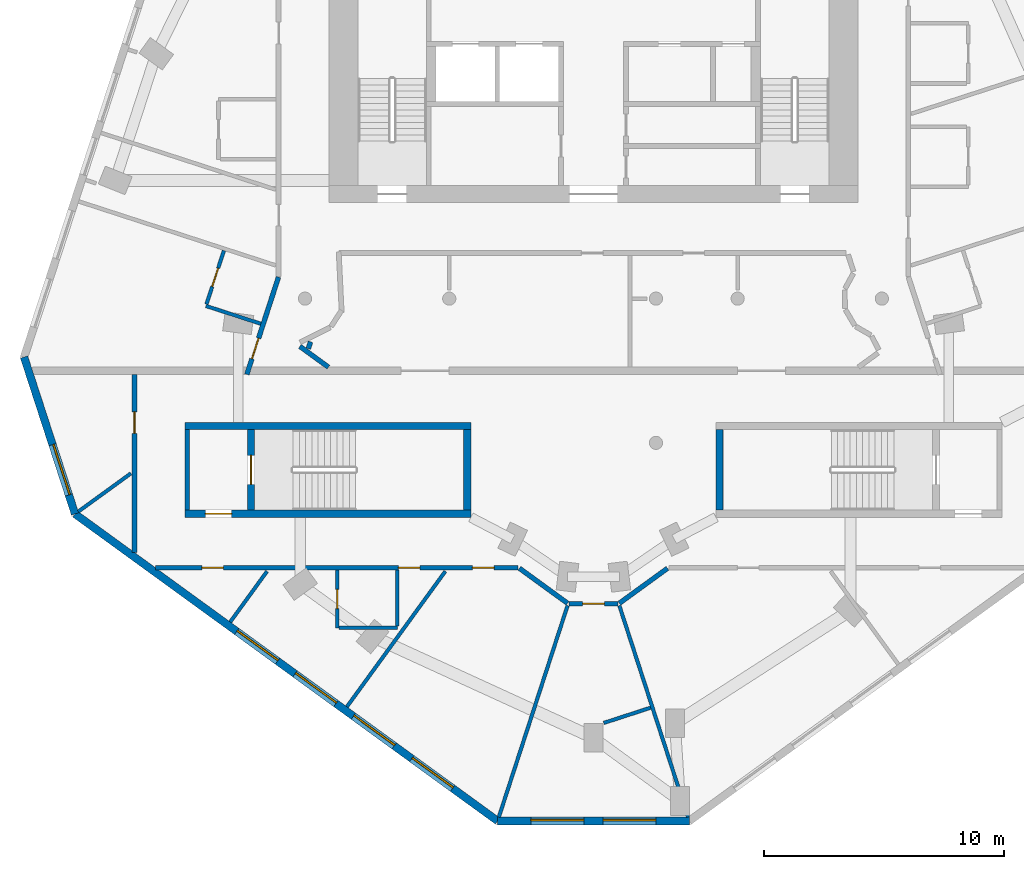
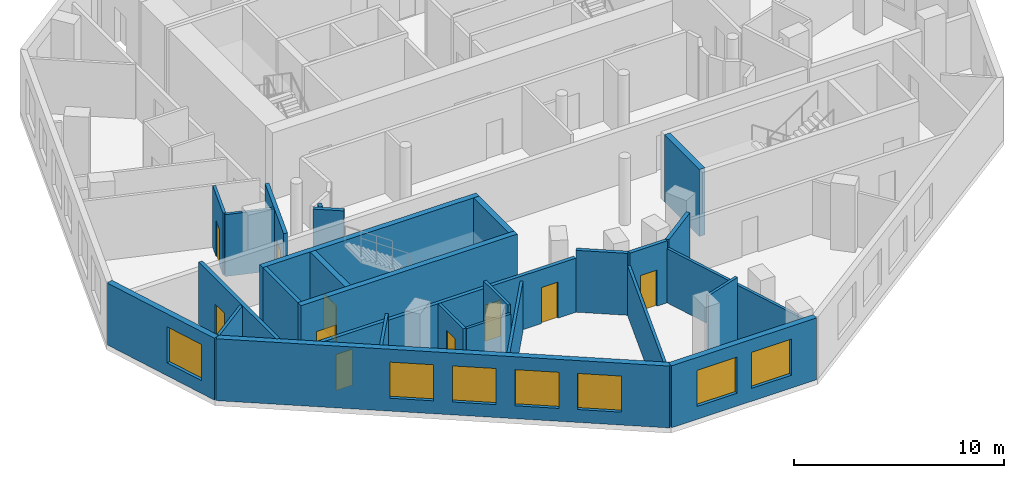
# One storey, part 2 of 9: 28 walls, 10 doors, 7 windows, 17 openings.
"""IFC4 building model written with IfcOpenShell, lengths in metres."""

from ifc_helpers import new_model, si_unit, direction, frame, frame_2d, origin, place, context, subcontext, project, spatial, rectangle, extrude, material, layer, layer_set, type_object, element, fill, save


model = new_model("IFC4")

# Units and contexts
model_context = context("Model", 3, precision=1e-05, world=origin(), true_north=direction((0.0, 1.0)))
body_context = subcontext(model_context, "Body", "Model", "MODEL_VIEW")
ifc_project = project(units=[si_unit("LENGTHUNIT", "METRE"), si_unit("AREAUNIT", "SQUARE_METRE"), si_unit("VOLUMEUNIT", "CUBIC_METRE"), si_unit("PLANEANGLEUNIT", "RADIAN"), si_unit("MASSUNIT", "GRAM", prefix="KILO")], contexts=[model_context])

# Site, building, storey
site_placement = place(None, origin())
site = spatial("IfcSite", under=ifc_project, at=site_placement, CompositionType="ELEMENT")
building_placement = place(site_placement, origin())
building = spatial("IfcBuilding", under=site, at=building_placement, Name="White Candle Pilgrim Tower", CompositionType="ELEMENT")
storey_placement = place(building_placement, frame((0.0, 0.0, 256.10009765625)))
storey = spatial("IfcBuildingStorey", under=building, at=storey_placement, Name="L60", CompositionType="ELEMENT", Elevation=256.10009765625)

# Wall
ifc_material_1 = material(Name="Concrete C50/60", Category="concrete")
ifc_layer_1 = layer(ifc_material_1, 0.199951171875)
ifc_layer_set_1 = layer_set([ifc_layer_1], Name="Core wall 200 mm Concrete C50/60")
wall_type_1 = type_object("IfcWallType", Name="Core wall 200 mm Concrete C50/60", PredefinedType="SHEAR", material=ifc_layer_set_1)
wall_1_placement = place(storey_placement, frame((53.10009765625, 58.199951171875, 0.0), z_axis=(0.0, 0.0, 1.0), x_axis=(0.0, 1.0, 0.0)))
element("IfcWall", 1, at=wall_1_placement, inside=storey, type_object=wall_type_1, Name="WL-L60-C03", PredefinedType="SHEAR", context=body_context, shape_type="SweptSolid", body=[
    extrude(rectangle(XDim=3.35009765625, YDim=0.199951171875, at=frame_2d((1.675048828125, 0.0))), origin(), (0.0, 0.0, 1.0), 3.89990234375),
])

# Wall, opening, door
ifc_material_2 = material(Name="Gypsum board on steel studs", Category="steel")
ifc_layer_2 = layer(ifc_material_2, 0.199951171875)
ifc_layer_set_2 = layer_set([ifc_layer_2], Name="Corridor wall 200 mm EI 45")
wall_type_2 = type_object("IfcWallType", Name="Corridor wall 200 mm EI 45", PredefinedType="PARTITIONING", material=ifc_layer_set_2)
wall_2_placement = place(storey_placement, frame((55.580078125, 63.85009765625, 0.0), z_axis=(0.0, 0.0, 1.0), x_axis=(0.308990077211, 0.951065261791, 0.0)))
wall_2 = element("IfcWall", 2, at=wall_2_placement, inside=storey, type_object=wall_type_2, Name="WL-L60-P002", PredefinedType="PARTITIONING", context=body_context, shape_type="SweptSolid", body=[
    extrude(rectangle(XDim=4.255615234375, YDim=0.199951171875, at=frame_2d((2.1279296875, 0.0))), origin(), (0.0, 0.0, 1.0), 3.599853515625),
])
opening_1_placement = place(wall_2_placement, frame((0.68017578125, 0.0, 0.0)))
opening_1 = element("IfcOpeningElement", 3, at=opening_1_placement, cuts=wall_2, Name="Opening T18-117", PredefinedType="OPENING", context=body_context, shape_type="SweptSolid", body=[
    extrude(rectangle(XDim=0.89990234375, YDim=2.10009765625, at=frame_2d((0.449951171875, 1.050048828125))), frame((0.0, 0.10986328125, 0.0), z_axis=(0.0, -1.0, 0.0), x_axis=(1.0, 0.0, 0.0)), (0.0, 0.0, 1.0), 0.219970703125),
])
ifc_material_3 = material(Name="Steel door leaf", Category="steel")
door_type_1 = type_object("IfcDoorType", Name="Fire door 900 x 2100 EI 30", OperationType="NOTDEFINED", PredefinedType="DOOR", material=ifc_material_3)
door_1_placement = place(opening_1_placement, origin())
door_1 = element("IfcDoor", 4, at=door_1_placement, inside=storey, type_object=door_type_1, Name="Door T18-117", OperationType="SINGLE_SWING_LEFT", OverallHeight=2.10009765625, OverallWidth=0.89990234375, PredefinedType="DOOR", context=body_context, shape_type="SweptSolid", body=[
    extrude(rectangle(XDim=0.89990234375, YDim=2.10009765625, at=frame_2d((0.449951171875, 1.050048828125))), frame((0.0, 0.02490234375, 0.0), z_axis=(0.0, -1.0, 0.0), x_axis=(1.0, 0.0, 0.0)), (0.0, 0.0, 1.0), 0.050048828125),
])
fill(opening_1, door_1)

# Wall
wall_3_placement = place(storey_placement, frame((73.08056640625, 55.781005859375, 0.0), z_axis=(0.0, 0.0, 1.0), x_axis=(-0.808962045992, -0.587860874821, 0.0)))
element("IfcWall", 5, at=wall_3_placement, inside=storey, type_object=wall_type_2, Name="WL-L60-P008", PredefinedType="PARTITIONING", context=body_context, shape_type="SweptSolid", body=[
    extrude(rectangle(XDim=2.4755859375, YDim=0.199951171875, at=frame_2d((1.23779296875, 0.0))), origin(), (0.0, 0.0, 1.0), 3.599853515625),
])

# Wall, opening, door
wall_4_placement = place(storey_placement, frame((71.01904296875, 54.306640625, 0.0), z_axis=(0.0, 0.0, 1.0), x_axis=(-1.0, 0.0, 0.0)))
wall_4 = element("IfcWall", 6, at=wall_4_placement, inside=storey, type_object=wall_type_2, Name="WL-L60-P009", PredefinedType="PARTITIONING", context=body_context, shape_type="SweptSolid", body=[
    extrude(rectangle(XDim=2.0380859375, YDim=0.199951171875, at=frame_2d((1.01904296875, 0.0))), origin(), (0.0, 0.0, 1.0), 3.599853515625),
])
opening_2_placement = place(wall_4_placement, frame((0.569091796875, 0.0, 0.0)))
opening_2 = element("IfcOpeningElement", 7, at=opening_2_placement, cuts=wall_4, Name="Opening T18-108", PredefinedType="OPENING", context=body_context, shape_type="SweptSolid", body=[
    extrude(rectangle(XDim=0.89990234375, YDim=2.10009765625, at=frame_2d((0.449951171875, 1.050048828125))), frame((0.0, 0.10986328125, 0.0), z_axis=(0.0, -1.0, 0.0), x_axis=(1.0, 0.0, 0.0)), (0.0, 0.0, 1.0), 0.219970703125),
])
door_2_placement = place(opening_2_placement, origin())
door_2 = element("IfcDoor", 8, at=door_2_placement, inside=storey, type_object=door_type_1, Name="Door T18-108", OperationType="SINGLE_SWING_RIGHT", OverallHeight=2.10009765625, OverallWidth=0.89990234375, PredefinedType="DOOR", context=body_context, shape_type="SweptSolid", body=[
    extrude(rectangle(XDim=0.89990234375, YDim=2.10009765625, at=frame_2d((0.449951171875, 1.050048828125))), frame((0.0, 0.02490234375, 0.0), z_axis=(0.0, -1.0, 0.0), x_axis=(1.0, 0.0, 0.0)), (0.0, 0.0, 1.0), 0.050048828125),
])
fill(opening_2, door_2)

# Wall
wall_5_placement = place(storey_placement, frame((68.922119140625, 54.32568359375, 0.0), z_axis=(0.0, 0.0, 1.0), x_axis=(-0.808962045992, 0.587860874821, 0.0)))
element("IfcWall", 9, at=wall_5_placement, inside=storey, type_object=wall_type_2, Name="WL-L60-P010", PredefinedType="PARTITIONING", context=body_context, shape_type="SweptSolid", body=[
    extrude(rectangle(XDim=2.4755859375, YDim=0.199951171875, at=frame_2d((1.23779296875, 0.0))), origin(), (0.0, 0.0, 1.0), 3.599853515625),
])

# Wall, openings, doors
wall_6_placement = place(storey_placement, frame((66.860595703125, 55.800048828125, 0.0), z_axis=(0.0, 0.0, 1.0), x_axis=(-1.0, 0.0, 0.0)))
wall_6 = element("IfcWall", 10, at=wall_6_placement, inside=storey, type_object=wall_type_2, Name="WL-L60-P011", PredefinedType="PARTITIONING", context=body_context, shape_type="SweptSolid", body=[
    extrude(rectangle(XDim=15.074951171875, YDim=0.199951171875, at=frame_2d((7.53759765625, 0.0))), origin(), (0.0, 0.0, 1.0), 3.14990234375),
])
opening_3_placement = place(wall_6_placement, frame((12.25537109375, 0.0, 0.0)))
opening_3 = element("IfcOpeningElement", 11, at=opening_3_placement, cuts=wall_6, Name="Opening T18-104", PredefinedType="OPENING", context=body_context, shape_type="SweptSolid", body=[
    extrude(rectangle(XDim=0.89990234375, YDim=2.10009765625, at=frame_2d((0.449951171875, 1.050048828125))), frame((0.0, 0.10986328125, 0.0), z_axis=(0.0, -1.0, 0.0), x_axis=(1.0, 0.0, 0.0)), (0.0, 0.0, 1.0), 0.219970703125),
])
opening_4_placement = place(wall_6_placement, frame((4.07763671875, 0.0, 0.0)))
opening_4 = element("IfcOpeningElement", 12, at=opening_4_placement, cuts=wall_6, Name="Opening T18-106", PredefinedType="OPENING", context=body_context, shape_type="SweptSolid", body=[
    extrude(rectangle(XDim=0.89990234375, YDim=2.10009765625, at=frame_2d((0.449951171875, 1.050048828125))), frame((0.0, 0.10986328125, 0.0), z_axis=(0.0, -1.0, 0.0), x_axis=(1.0, 0.0, 0.0)), (0.0, 0.0, 1.0), 0.219970703125),
])
opening_5_placement = place(wall_6_placement, frame((0.993408203125, 0.0, 0.0)))
opening_5 = element("IfcOpeningElement", 13, at=opening_5_placement, cuts=wall_6, Name="Opening T18-107", PredefinedType="OPENING", context=body_context, shape_type="SweptSolid", body=[
    extrude(rectangle(XDim=0.89990234375, YDim=2.10009765625, at=frame_2d((0.449951171875, 1.050048828125))), frame((0.0, 0.10986328125, 0.0), z_axis=(0.0, -1.0, 0.0), x_axis=(1.0, 0.0, 0.0)), (0.0, 0.0, 1.0), 0.219970703125),
])
door_3_placement = place(opening_3_placement, origin())
door_3 = element("IfcDoor", 14, at=door_3_placement, inside=storey, type_object=door_type_1, Name="Door T18-104", OperationType="SINGLE_SWING_RIGHT", OverallHeight=2.10009765625, OverallWidth=0.89990234375, PredefinedType="DOOR", context=body_context, shape_type="SweptSolid", body=[
    extrude(rectangle(XDim=0.89990234375, YDim=2.10009765625, at=frame_2d((0.449951171875, 1.050048828125))), frame((0.0, 0.02490234375, 0.0), z_axis=(0.0, -1.0, 0.0), x_axis=(1.0, 0.0, 0.0)), (0.0, 0.0, 1.0), 0.050048828125),
])
fill(opening_3, door_3)
door_4_placement = place(opening_4_placement, origin())
door_4 = element("IfcDoor", 15, at=door_4_placement, inside=storey, type_object=door_type_1, Name="Door T18-106", OperationType="SINGLE_SWING_RIGHT", OverallHeight=2.10009765625, OverallWidth=0.89990234375, PredefinedType="DOOR", context=body_context, shape_type="SweptSolid", body=[
    extrude(rectangle(XDim=0.89990234375, YDim=2.10009765625, at=frame_2d((0.449951171875, 1.050048828125))), frame((0.0, 0.02490234375, 0.0), z_axis=(0.0, -1.0, 0.0), x_axis=(1.0, 0.0, 0.0)), (0.0, 0.0, 1.0), 0.050048828125),
])
fill(opening_4, door_4)
door_5_placement = place(opening_5_placement, origin())
door_5 = element("IfcDoor", 16, at=door_5_placement, inside=storey, type_object=door_type_1, Name="Door T18-107", OperationType="SINGLE_SWING_LEFT", OverallHeight=2.10009765625, OverallWidth=0.89990234375, PredefinedType="DOOR", context=body_context, shape_type="SweptSolid", body=[
    extrude(rectangle(XDim=0.89990234375, YDim=2.10009765625, at=frame_2d((0.449951171875, 1.050048828125))), frame((0.0, 0.02490234375, 0.0), z_axis=(0.0, -1.0, 0.0), x_axis=(1.0, 0.0, 0.0)), (0.0, 0.0, 1.0), 0.050048828125),
])
fill(opening_5, door_5)

# Wall, opening, door
wall_7_placement = place(storey_placement, frame((50.89990234375, 56.443359375, 0.0), z_axis=(0.0, 0.0, 1.0), x_axis=(0.0, 1.0, 0.0)))
wall_7 = element("IfcWall", 17, at=wall_7_placement, inside=storey, type_object=wall_type_2, Name="WL-L60-P012", PredefinedType="PARTITIONING", context=body_context, shape_type="SweptSolid", body=[
    extrude(rectangle(XDim=7.40673828125, YDim=0.199951171875, at=frame_2d((3.703369140625, 0.0))), origin(), (0.0, 0.0, 1.0), 3.599853515625),
])
opening_6_placement = place(wall_7_placement, frame((4.94921875, 0.0, 0.0)))
opening_6 = element("IfcOpeningElement", 18, at=opening_6_placement, cuts=wall_7, Name="Opening T18-103", PredefinedType="OPENING", context=body_context, shape_type="SweptSolid", body=[
    extrude(rectangle(XDim=0.89990234375, YDim=2.10009765625, at=frame_2d((0.449951171875, 1.050048828125))), frame((0.0, 0.10986328125, 0.0), z_axis=(0.0, -1.0, 0.0), x_axis=(1.0, 0.0, 0.0)), (0.0, 0.0, 1.0), 0.219970703125),
])
door_6_placement = place(opening_6_placement, origin())
door_6 = element("IfcDoor", 19, at=door_6_placement, inside=storey, type_object=door_type_1, Name="Door T18-103", OperationType="SINGLE_SWING_LEFT", OverallHeight=2.10009765625, OverallWidth=0.89990234375, PredefinedType="DOOR", context=body_context, shape_type="SweptSolid", body=[
    extrude(rectangle(XDim=0.89990234375, YDim=2.10009765625, at=frame_2d((0.449951171875, 1.050048828125))), frame((0.0, 0.02490234375, 0.0), z_axis=(0.0, -1.0, 0.0), x_axis=(1.0, 0.0, 0.0)), (0.0, 0.0, 1.0), 0.050048828125),
])
fill(opening_6, door_6)

# Walls
wall_8_placement = place(storey_placement, frame((57.785400390625, 65.0126953125, 0.0), z_axis=(0.0, 0.0, 1.0), x_axis=(0.809066765609, -0.587716741966, 0.0)))
element("IfcWall", 20, at=wall_8_placement, inside=storey, type_object=wall_type_2, Name="WL-L60-P022", PredefinedType="PARTITIONING", context=body_context, shape_type="SweptSolid", body=[
    extrude(rectangle(XDim=1.468017578125, YDim=0.199951171875, at=frame_2d((0.73388671875, 0.0))), origin(), (0.0, 0.0, 1.0), 3.599853515625),
])
wall_9_placement = place(storey_placement, frame((58.1357421875, 64.920166015625, 0.0), z_axis=(0.0, 0.0, 1.0), x_axis=(0.308939772629, 0.951081603695, 0.0)))
element("IfcWall", 21, at=wall_9_placement, inside=storey, type_object=wall_type_2, Name="WL-L60-P054", PredefinedType="PARTITIONING", context=body_context, shape_type="SweptSolid", body=[
    extrude(rectangle(XDim=0.3017578125, YDim=0.199951171875, at=frame_2d((0.15087890625, 0.0))), origin(), (0.0, 0.0, 1.0), 3.599853515625),
])

# Wall, opening, window
ifc_material_4 = material(Name="Precast concrete C40/50", Category="concrete")
ifc_layer_3 = layer(ifc_material_4, 0.320068359375)
ifc_layer_set_3 = layer_set([ifc_layer_3], Name="Facade wall EW1 precast concrete C40/50 pier wall with timber-lined reveals")
wall_type_3 = type_object("IfcWallType", Name="Facade wall EW1 precast concrete C40/50 pier wall with timber-lined reveals", PredefinedType="SOLIDWALL", material=ifc_layer_set_3)
wall_10_placement = place(storey_placement, frame((46.308349609375, 64.569091796875, 0.0), z_axis=(0.0, 0.0, 1.0), x_axis=(0.309016913419, -0.951056542599, 0.0)))
wall_10 = element("IfcWall", 22, at=wall_10_placement, inside=storey, type_object=wall_type_3, Name="Facade wall L60 W chamfer", PredefinedType="SOLIDWALL", context=body_context, shape_type="SweptSolid", body=[
    extrude(rectangle(XDim=6.86474609375, YDim=0.320068359375, at=frame_2d((3.432373046875, 0.0))), origin(), (0.0, 0.0, 1.0), 3.599853515625),
])
opening_7_placement = place(wall_10_placement, frame((3.83251953125, 0.0, 0.75)))
opening_7 = element("IfcOpeningElement", 23, at=opening_7_placement, cuts=wall_10, Name="Opening W4", PredefinedType="OPENING", context=body_context, shape_type="SweptSolid", body=[
    extrude(rectangle(XDim=2.199951171875, YDim=2.10009765625, at=frame_2d((1.10009765625, 1.050048828125))), frame((0.0, 0.169921875, 0.0), z_axis=(0.0, -1.0, 0.0), x_axis=(1.0, 0.0, 0.0)), (0.0, 0.0, 1.0), 0.340087890625),
])
ifc_material_5 = material(Name="Timber frame with triple glazing", Category="wood")
window_type_1 = type_object("IfcWindowType", Name="Window W4 2200x2100 timber frame triple glazing", PartitioningType="SINGLE_PANEL", PredefinedType="WINDOW", material=ifc_material_5)
window_1_placement = place(opening_7_placement, origin())
window_1 = element("IfcWindow", 24, at=window_1_placement, inside=storey, type_object=window_type_1, Name="Window W4 L60 W chamfer 2", OverallHeight=2.10009765625, OverallWidth=2.199951171875, PartitioningType="SINGLE_PANEL", PredefinedType="WINDOW", context=body_context, shape_type="SweptSolid", body=[
    extrude(rectangle(XDim=2.199951171875, YDim=2.10009765625, at=frame_2d((1.10009765625, 1.050048828125))), frame((0.0, 0.070068359375, 0.0), z_axis=(0.0, -1.0, 0.0), x_axis=(1.0, 0.0, 0.0)), (0.0, 0.0, 1.0), 0.06005859375),
])
fill(opening_7, window_1)

# Wall, openings, windows
wall_11_placement = place(storey_placement, frame((48.4296875, 58.040283203125, 0.0), z_axis=(0.0, 0.0, 1.0), x_axis=(0.809018242367, -0.587783534575, 0.0)))
wall_11 = element("IfcWall", 25, at=wall_11_placement, inside=storey, type_object=wall_type_3, Name="Facade wall L60 SW", PredefinedType="SOLIDWALL", context=body_context, shape_type="SweptSolid", body=[
    extrude(rectangle(XDim=21.73193359375, YDim=0.320068359375, at=frame_2d((10.865966796875, 0.0))), origin(), (0.0, 0.0, 1.0), 3.599853515625),
])
opening_8_placement = place(wall_11_placement, frame((8.31591796875, 0.0, 0.75)))
opening_8 = element("IfcOpeningElement", 26, at=opening_8_placement, cuts=wall_11, Name="Opening W3", PredefinedType="OPENING", context=body_context, shape_type="SweptSolid", body=[
    extrude(rectangle(XDim=2.10009765625, YDim=2.10009765625, at=frame_2d((1.050048828125, 1.050048828125))), frame((0.0, 0.169921875, 0.0), z_axis=(0.0, -1.0, 0.0), x_axis=(1.0, 0.0, 0.0)), (0.0, 0.0, 1.0), 0.340087890625),
])
opening_9_placement = place(wall_11_placement, frame((11.31591796875, 0.0, 0.75)))
opening_9 = element("IfcOpeningElement", 27, at=opening_9_placement, cuts=wall_11, Name="Opening W3", PredefinedType="OPENING", context=body_context, shape_type="SweptSolid", body=[
    extrude(rectangle(XDim=2.10009765625, YDim=2.10009765625, at=frame_2d((1.050048828125, 1.050048828125))), frame((0.0, 0.169921875, 0.0), z_axis=(0.0, -1.0, 0.0), x_axis=(1.0, 0.0, 0.0)), (0.0, 0.0, 1.0), 0.340087890625),
])
opening_10_placement = place(wall_11_placement, frame((14.31591796875, 0.0, 0.75)))
opening_10 = element("IfcOpeningElement", 28, at=opening_10_placement, cuts=wall_11, Name="Opening W3", PredefinedType="OPENING", context=body_context, shape_type="SweptSolid", body=[
    extrude(rectangle(XDim=2.10009765625, YDim=2.10009765625, at=frame_2d((1.050048828125, 1.050048828125))), frame((0.0, 0.169921875, 0.0), z_axis=(0.0, -1.0, 0.0), x_axis=(1.0, 0.0, 0.0)), (0.0, 0.0, 1.0), 0.340087890625),
])
opening_11_placement = place(wall_11_placement, frame((17.31591796875, 0.0, 0.75)))
opening_11 = element("IfcOpeningElement", 29, at=opening_11_placement, cuts=wall_11, Name="Opening W3", PredefinedType="OPENING", context=body_context, shape_type="SweptSolid", body=[
    extrude(rectangle(XDim=2.10009765625, YDim=2.10009765625, at=frame_2d((1.050048828125, 1.050048828125))), frame((0.0, 0.169921875, 0.0), z_axis=(0.0, -1.0, 0.0), x_axis=(1.0, 0.0, 0.0)), (0.0, 0.0, 1.0), 0.340087890625),
])
window_type_2 = type_object("IfcWindowType", Name="Window W3 2100x2100 timber frame triple glazing", PartitioningType="SINGLE_PANEL", PredefinedType="WINDOW", material=ifc_material_5)
window_2_placement = place(opening_8_placement, origin())
window_2 = element("IfcWindow", 30, at=window_2_placement, inside=storey, type_object=window_type_2, Name="Window W3 L60 SW 3", OverallHeight=2.10009765625, OverallWidth=2.10009765625, PartitioningType="SINGLE_PANEL", PredefinedType="WINDOW", context=body_context, shape_type="SweptSolid", body=[
    extrude(rectangle(XDim=2.10009765625, YDim=2.10009765625, at=frame_2d((1.050048828125, 1.050048828125))), frame((0.0, 0.070068359375, 0.0), z_axis=(0.0, -1.0, 0.0), x_axis=(1.0, 0.0, 0.0)), (0.0, 0.0, 1.0), 0.06005859375),
])
fill(opening_8, window_2)
window_3_placement = place(opening_9_placement, origin())
window_3 = element("IfcWindow", 31, at=window_3_placement, inside=storey, type_object=window_type_2, Name="Window W3 L60 SW 4", OverallHeight=2.10009765625, OverallWidth=2.10009765625, PartitioningType="SINGLE_PANEL", PredefinedType="WINDOW", context=body_context, shape_type="SweptSolid", body=[
    extrude(rectangle(XDim=2.10009765625, YDim=2.10009765625, at=frame_2d((1.050048828125, 1.050048828125))), frame((0.0, 0.070068359375, 0.0), z_axis=(0.0, -1.0, 0.0), x_axis=(1.0, 0.0, 0.0)), (0.0, 0.0, 1.0), 0.06005859375),
])
fill(opening_9, window_3)
window_4_placement = place(opening_10_placement, origin())
window_4 = element("IfcWindow", 32, at=window_4_placement, inside=storey, type_object=window_type_2, Name="Window W3 L60 SW 5", OverallHeight=2.10009765625, OverallWidth=2.10009765625, PartitioningType="SINGLE_PANEL", PredefinedType="WINDOW", context=body_context, shape_type="SweptSolid", body=[
    extrude(rectangle(XDim=2.10009765625, YDim=2.10009765625, at=frame_2d((1.050048828125, 1.050048828125))), frame((0.0, 0.070068359375, 0.0), z_axis=(0.0, -1.0, 0.0), x_axis=(1.0, 0.0, 0.0)), (0.0, 0.0, 1.0), 0.06005859375),
])
fill(opening_10, window_4)
window_5_placement = place(opening_11_placement, origin())
window_5 = element("IfcWindow", 33, at=window_5_placement, inside=storey, type_object=window_type_2, Name="Window W3 L60 SW 6", OverallHeight=2.10009765625, OverallWidth=2.10009765625, PartitioningType="SINGLE_PANEL", PredefinedType="WINDOW", context=body_context, shape_type="SweptSolid", body=[
    extrude(rectangle(XDim=2.10009765625, YDim=2.10009765625, at=frame_2d((1.050048828125, 1.050048828125))), frame((0.0, 0.070068359375, 0.0), z_axis=(0.0, -1.0, 0.0), x_axis=(1.0, 0.0, 0.0)), (0.0, 0.0, 1.0), 0.06005859375),
])
fill(opening_11, window_5)

wall_12_placement = place(storey_placement, frame((66.01123046875, 45.2666015625, 0.0), z_axis=(0.0, 0.0, 1.0), x_axis=(1.0, 0.0, 0.0)))
wall_12 = element("IfcWall", 34, at=wall_12_placement, inside=storey, type_object=wall_type_3, Name="Facade wall L60 S chamfer", PredefinedType="SOLIDWALL", context=body_context, shape_type="SweptSolid", body=[
    extrude(rectangle(XDim=7.9775390625, YDim=0.320068359375, at=frame_2d((3.98876953125, 0.0))), origin(), (0.0, 0.0, 1.0), 3.599853515625),
])
opening_12_placement = place(wall_12_placement, frame((1.388671875, 0.0, 0.75)))
opening_12 = element("IfcOpeningElement", 35, at=opening_12_placement, cuts=wall_12, Name="Opening W4", PredefinedType="OPENING", context=body_context, shape_type="SweptSolid", body=[
    extrude(rectangle(XDim=2.199951171875, YDim=2.10009765625, at=frame_2d((1.10009765625, 1.050048828125))), frame((0.0, 0.169921875, 0.0), z_axis=(0.0, -1.0, 0.0), x_axis=(1.0, 0.0, 0.0)), (0.0, 0.0, 1.0), 0.340087890625),
])
opening_13_placement = place(wall_12_placement, frame((4.388671875, 0.0, 0.75)))
opening_13 = element("IfcOpeningElement", 36, at=opening_13_placement, cuts=wall_12, Name="Opening W4", PredefinedType="OPENING", context=body_context, shape_type="SweptSolid", body=[
    extrude(rectangle(XDim=2.199951171875, YDim=2.10009765625, at=frame_2d((1.10009765625, 1.050048828125))), frame((0.0, 0.169921875, 0.0), z_axis=(0.0, -1.0, 0.0), x_axis=(1.0, 0.0, 0.0)), (0.0, 0.0, 1.0), 0.340087890625),
])
window_6_placement = place(opening_12_placement, origin())
window_6 = element("IfcWindow", 37, at=window_6_placement, inside=storey, type_object=window_type_1, Name="Window W4 L60 S chamfer 1", OverallHeight=2.10009765625, OverallWidth=2.199951171875, PartitioningType="SINGLE_PANEL", PredefinedType="WINDOW", context=body_context, shape_type="SweptSolid", body=[
    extrude(rectangle(XDim=2.199951171875, YDim=2.10009765625, at=frame_2d((1.10009765625, 1.050048828125))), frame((0.0, 0.070068359375, 0.0), z_axis=(0.0, -1.0, 0.0), x_axis=(1.0, 0.0, 0.0)), (0.0, 0.0, 1.0), 0.06005859375),
])
fill(opening_12, window_6)
window_7_placement = place(opening_13_placement, origin())
window_7 = element("IfcWindow", 38, at=window_7_placement, inside=storey, type_object=window_type_1, Name="Window W4 L60 S chamfer 2", OverallHeight=2.10009765625, OverallWidth=2.199951171875, PartitioningType="SINGLE_PANEL", PredefinedType="WINDOW", context=body_context, shape_type="SweptSolid", body=[
    extrude(rectangle(XDim=2.199951171875, YDim=2.10009765625, at=frame_2d((1.10009765625, 1.050048828125))), frame((0.0, 0.070068359375, 0.0), z_axis=(0.0, -1.0, 0.0), x_axis=(1.0, 0.0, 0.0)), (0.0, 0.0, 1.0), 0.06005859375),
])
fill(opening_13, window_7)

# Walls
ifc_layer_4 = layer(ifc_material_2, 0.14990234375)
ifc_layer_set_4 = layer_set([ifc_layer_4], Name="Partition 150 mm EI 60")
wall_type_4 = type_object("IfcWallType", Name="Partition 150 mm EI 60", PredefinedType="PARTITIONING", material=ifc_layer_set_4)
wall_13_placement = place(storey_placement, frame((48.56591796875, 58.13916015625, 0.0), z_axis=(0.0, 0.0, 1.0), x_axis=(0.808977814749, 0.587839174642, 0.0)))
element("IfcWall", 39, at=wall_13_placement, inside=storey, type_object=wall_type_4, Name="WL-L60-P026", PredefinedType="PARTITIONING", context=body_context, shape_type="SweptSolid", body=[
    extrude(rectangle(XDim=2.70703125, YDim=0.14990234375, at=frame_2d((1.353515625, 0.0))), origin(), (0.0, 0.0, 1.0), 3.599853515625),
])
wall_14_placement = place(storey_placement, frame((66.063232421875, 45.4267578125, 0.0), z_axis=(0.0, 0.0, 1.0), x_axis=(0.309006712512, 0.951059857014, 0.0)))
element("IfcWall", 40, at=wall_14_placement, inside=storey, type_object=wall_type_4, Name="WL-L60-P027", PredefinedType="PARTITIONING", context=body_context, shape_type="SweptSolid", body=[
    extrude(rectangle(XDim=9.251953125, YDim=0.14990234375, at=frame_2d((4.6259765625, 0.0))), origin(), (0.0, 0.0, 1.0), 2.89990234375),
])
wall_15_placement = place(storey_placement, frame((73.936767578125, 45.4267578125, 0.0), z_axis=(0.0, 0.0, 1.0), x_axis=(-0.309006712512, 0.951059857014, 0.0)))
element("IfcWall", 41, at=wall_15_placement, inside=storey, type_object=wall_type_4, Name="WL-L60-P028", PredefinedType="PARTITIONING", context=body_context, shape_type="SweptSolid", body=[
    extrude(rectangle(XDim=9.251953125, YDim=0.14990234375, at=frame_2d((4.6259765625, 0.0))), origin(), (0.0, 0.0, 1.0), 3.14990234375),
])
wall_16_placement = place(storey_placement, frame((56.15869140625, 65.95458984375, 0.0), z_axis=(0.0, 0.0, 1.0), x_axis=(-0.951046776628, 0.309046968381, 0.0)))
element("IfcWall", 42, at=wall_16_placement, inside=storey, type_object=wall_type_4, Name="WL-L60-P036", PredefinedType="PARTITIONING", context=body_context, shape_type="SweptSolid", body=[
    extrude(rectangle(XDim=2.39990234375, YDim=0.14990234375, at=frame_2d((1.199951171875, 0.0))), origin(), (0.0, 0.0, 1.0), 3.599853515625),
])

# Wall, opening, door
wall_17_placement = place(storey_placement, frame((54.62548828125, 69.002685546875, 0.0), z_axis=(0.0, 0.0, 1.0), x_axis=(-0.308956872689, -0.951076048914, 0.0)))
wall_17 = element("IfcWall", 43, at=wall_17_placement, inside=storey, type_object=wall_type_4, Name="WL-L60-P037", PredefinedType="PARTITIONING", context=body_context, shape_type="SweptSolid", body=[
    extrude(rectangle(XDim=2.35009765625, YDim=0.14990234375, at=frame_2d((1.175048828125, 0.0))), origin(), (0.0, 0.0, 1.0), 3.599853515625),
])
opening_14_placement = place(wall_17_placement, frame((0.77490234375, 0.0, 0.0)))
opening_14 = element("IfcOpeningElement", 44, at=opening_14_placement, cuts=wall_17, Name="Opening T18-102", PredefinedType="OPENING", context=body_context, shape_type="SweptSolid", body=[
    extrude(rectangle(XDim=0.800048828125, YDim=2.10009765625, at=frame_2d((0.39990234375, 1.050048828125))), frame((0.0, 0.0849609375, 0.0), z_axis=(0.0, -1.0, 0.0), x_axis=(1.0, 0.0, 0.0)), (0.0, 0.0, 1.0), 0.169921875),
])
door_type_2 = type_object("IfcDoorType", Name="Fire door 800 x 2100 EI 30", OperationType="NOTDEFINED", PredefinedType="DOOR", material=ifc_material_3)
door_7_placement = place(opening_14_placement, frame((0.800048828125, 0.0, 0.0), z_axis=(0.0, 0.0, 1.0), x_axis=(-1.0, 0.0, 0.0)))
door_7 = element("IfcDoor", 45, at=door_7_placement, inside=storey, type_object=door_type_2, Name="Door T18-102", OperationType="SINGLE_SWING_LEFT", OverallHeight=2.10009765625, OverallWidth=0.800048828125, PredefinedType="DOOR", context=body_context, shape_type="SweptSolid", body=[
    extrude(rectangle(XDim=0.800048828125, YDim=2.10009765625, at=frame_2d((0.39990234375, 1.050048828125))), frame((0.0, 0.02490234375, 0.0), z_axis=(0.0, -1.0, 0.0), x_axis=(1.0, 0.0, 0.0)), (0.0, 0.0, 1.0), 0.050048828125),
])
fill(opening_14, door_7)

# Walls
wall_18_placement = place(storey_placement, frame((54.887451171875, 53.54638671875, 0.0), z_axis=(0.0, 0.0, 1.0), x_axis=(0.587781944183, 0.809019397847, 0.0)))
element("IfcWall", 46, at=wall_18_placement, inside=storey, type_object=wall_type_4, Name="WL-L60-P038", PredefinedType="PARTITIONING", context=body_context, shape_type="SweptSolid", body=[
    extrude(rectangle(XDim=2.607666015625, YDim=0.14990234375, at=frame_2d((1.3037109375, 0.0))), origin(), (0.0, 0.0, 1.0), 3.599853515625),
])
wall_19_placement = place(storey_placement, frame((59.74169921875, 50.01953125, 0.0), z_axis=(0.0, 0.0, 1.0), x_axis=(0.587769487479, 0.809028447948, 0.0)))
element("IfcWall", 47, at=wall_19_placement, inside=storey, type_object=wall_type_4, Name="WL-L60-P039", PredefinedType="PARTITIONING", context=body_context, shape_type="SweptSolid", body=[
    extrude(rectangle(XDim=6.967041015625, YDim=0.14990234375, at=frame_2d((3.4833984375, 0.0))), origin(), (0.0, 0.0, 1.0), 2.89990234375),
])

# Wall, opening, door
wall_20_placement = place(storey_placement, frame((59.34130859375, 55.699951171875, 0.0), z_axis=(0.0, 0.0, 1.0), x_axis=(0.0, -1.0, 0.0)))
wall_20 = element("IfcWall", 48, at=wall_20_placement, inside=storey, type_object=wall_type_4, Name="WL-L60-P040", PredefinedType="PARTITIONING", context=body_context, shape_type="SweptSolid", body=[
    extrude(rectangle(XDim=2.39990234375, YDim=0.14990234375, at=frame_2d((1.199951171875, 0.0))), origin(), (0.0, 0.0, 1.0), 3.14990234375),
])
opening_15_placement = place(wall_20_placement, frame((0.800048828125, 0.0, 0.0)))
opening_15 = element("IfcOpeningElement", 49, at=opening_15_placement, cuts=wall_20, Name="Opening T18-105", PredefinedType="OPENING", context=body_context, shape_type="SweptSolid", body=[
    extrude(rectangle(XDim=0.800048828125, YDim=2.10009765625, at=frame_2d((0.39990234375, 1.050048828125))), frame((0.0, 0.0849609375, 0.0), z_axis=(0.0, -1.0, 0.0), x_axis=(1.0, 0.0, 0.0)), (0.0, 0.0, 1.0), 0.169921875),
])
door_8_placement = place(opening_15_placement, frame((0.800048828125, 0.0, 0.0), z_axis=(0.0, 0.0, 1.0), x_axis=(-1.0, 0.0, 0.0)))
door_8 = element("IfcDoor", 50, at=door_8_placement, inside=storey, type_object=door_type_2, Name="Door T18-105", OperationType="SINGLE_SWING_RIGHT", OverallHeight=2.10009765625, OverallWidth=0.800048828125, PredefinedType="DOOR", context=body_context, shape_type="SweptSolid", body=[
    extrude(rectangle(XDim=0.800048828125, YDim=2.10009765625, at=frame_2d((0.39990234375, 1.050048828125))), frame((0.0, 0.02490234375, 0.0), z_axis=(0.0, -1.0, 0.0), x_axis=(1.0, 0.0, 0.0)), (0.0, 0.0, 1.0), 0.050048828125),
])
fill(opening_15, door_8)

# Walls
wall_21_placement = place(storey_placement, frame((61.84130859375, 53.300048828125, 0.0), z_axis=(0.0, 0.0, 1.0), x_axis=(-1.0, 0.0, 0.0)))
element("IfcWall", 51, at=wall_21_placement, inside=storey, type_object=wall_type_4, Name="WL-L60-P041", PredefinedType="PARTITIONING", context=body_context, shape_type="SweptSolid", body=[
    extrude(rectangle(XDim=2.425048828125, YDim=0.14990234375, at=frame_2d((1.21240234375, 0.0))), origin(), (0.0, 0.0, 1.0), 3.14990234375),
])
wall_22_placement = place(storey_placement, frame((61.84130859375, 55.699951171875, 0.0), z_axis=(0.0, 0.0, 1.0), x_axis=(0.0, -1.0, 0.0)))
element("IfcWall", 52, at=wall_22_placement, inside=storey, type_object=wall_type_4, Name="WL-L60-P042", PredefinedType="PARTITIONING", context=body_context, shape_type="SweptSolid", body=[
    extrude(rectangle(XDim=2.324951171875, YDim=0.14990234375, at=frame_2d((1.16259765625, 0.0))), origin(), (0.0, 0.0, 1.0), 3.599853515625),
])
wall_23_placement = place(storey_placement, frame((70.428955078125, 49.34619140625, 0.0), z_axis=(0.0, 0.0, 1.0), x_axis=(0.95108481729, 0.308929879295, 0.0)))
element("IfcWall", 53, at=wall_23_placement, inside=storey, type_object=wall_type_4, Name="WL-L60-P056", PredefinedType="PARTITIONING", context=body_context, shape_type="SweptSolid", body=[
    extrude(rectangle(XDim=2.050048828125, YDim=0.14990234375, at=frame_2d((1.02490234375, 0.0))), origin(), (0.0, 0.0, 1.0), 3.599853515625),
])

# Wall, opening, door
ifc_layer_5 = layer(ifc_material_1, 0.300048828125)
ifc_layer_set_5 = layer_set([ifc_layer_5], Name="Stair shaft wall 300 mm Concrete C50/60")
wall_type_5 = type_object("IfcWallType", Name="Stair shaft wall 300 mm Concrete C50/60", PredefinedType="SHEAR", material=ifc_layer_set_5)
wall_24_placement = place(storey_placement, frame((53.0, 58.050048828125, 0.0), z_axis=(0.0, 0.0, 1.0), x_axis=(1.0, 0.0, 0.0)))
wall_24 = element("IfcWall", 54, at=wall_24_placement, inside=storey, type_object=wall_type_5, Name="WL-L60-C01", PredefinedType="SHEAR", context=body_context, shape_type="SweptSolid", body=[
    extrude(rectangle(XDim=11.89990234375, YDim=0.300048828125, at=frame_2d((5.949951171875, 0.0))), origin(), (0.0, 0.0, 1.0), 3.89990234375),
])
opening_16_placement = place(wall_24_placement, frame((0.85009765625, 0.0, 0.0)))
opening_16 = element("IfcOpeningElement", 55, at=opening_16_placement, cuts=wall_24, Name="Opening T18-010", PredefinedType="OPENING", context=body_context, shape_type="SweptSolid", body=[
    extrude(rectangle(XDim=1.10009765625, YDim=2.10009765625, at=frame_2d((0.550048828125, 1.050048828125))), frame((0.0, 0.159912109375, 0.0), z_axis=(0.0, -1.0, 0.0), x_axis=(1.0, 0.0, 0.0)), (0.0, 0.0, 1.0), 0.320068359375),
])
door_type_3 = type_object("IfcDoorType", Name="Fire door 1100 x 2100 EI 60", OperationType="NOTDEFINED", PredefinedType="DOOR", material=ifc_material_3)
door_9_placement = place(opening_16_placement, origin())
door_9 = element("IfcDoor", 56, at=door_9_placement, inside=storey, type_object=door_type_3, Name="Door T18-010", OperationType="SINGLE_SWING_RIGHT", OverallHeight=2.10009765625, OverallWidth=1.10009765625, PredefinedType="DOOR", context=body_context, shape_type="SweptSolid", body=[
    extrude(rectangle(XDim=1.10009765625, YDim=2.10009765625, at=frame_2d((0.550048828125, 1.050048828125))), frame((0.0, 0.02490234375, 0.0), z_axis=(0.0, -1.0, 0.0), x_axis=(1.0, 0.0, 0.0)), (0.0, 0.0, 1.0), 0.050048828125),
])
fill(opening_16, door_9)

wall_25_placement = place(storey_placement, frame((55.75, 58.199951171875, 0.0), z_axis=(0.0, 0.0, 1.0), x_axis=(0.0, 1.0, 0.0)))
wall_25 = element("IfcWall", 57, at=wall_25_placement, inside=storey, type_object=wall_type_5, Name="WL-L60-C04", PredefinedType="SHEAR", context=body_context, shape_type="SweptSolid", body=[
    extrude(rectangle(XDim=3.35009765625, YDim=0.300048828125, at=frame_2d((1.675048828125, 0.0))), origin(), (0.0, 0.0, 1.0), 3.89990234375),
])
opening_17_placement = place(wall_25_placement, frame((1.074951171875, 0.0, 0.0)))
opening_17 = element("IfcOpeningElement", 58, at=opening_17_placement, cuts=wall_25, Name="Opening T18-011", PredefinedType="OPENING", context=body_context, shape_type="SweptSolid", body=[
    extrude(rectangle(XDim=1.199951171875, YDim=2.10009765625, at=frame_2d((0.60009765625, 1.050048828125))), frame((0.0, 0.159912109375, 0.0), z_axis=(0.0, -1.0, 0.0), x_axis=(1.0, 0.0, 0.0)), (0.0, 0.0, 1.0), 0.320068359375),
])
door_type_4 = type_object("IfcDoorType", Name="Fire door 1200 x 2100 EI 60", OperationType="NOTDEFINED", PredefinedType="DOOR", material=ifc_material_3)
door_10_placement = place(opening_17_placement, frame((1.199951171875, 0.0, 0.0), z_axis=(0.0, 0.0, 1.0), x_axis=(-1.0, 0.0, 0.0)))
door_10 = element("IfcDoor", 59, at=door_10_placement, inside=storey, type_object=door_type_4, Name="Door T18-011", OperationType="SINGLE_SWING_RIGHT", OverallHeight=2.10009765625, OverallWidth=1.199951171875, PredefinedType="DOOR", context=body_context, shape_type="SweptSolid", body=[
    extrude(rectangle(XDim=1.199951171875, YDim=2.10009765625, at=frame_2d((0.60009765625, 1.050048828125))), frame((0.0, 0.02490234375, 0.0), z_axis=(0.0, -1.0, 0.0), x_axis=(1.0, 0.0, 0.0)), (0.0, 0.0, 1.0), 0.050048828125),
])
fill(opening_17, door_10)

# Walls
for number, where, z_axis, x_axis, name in (
    (60, (64.75, 58.199951171875, 0.0), (0.0, 0.0, 1.0), (0.0, 1.0, 0.0), "WL-L60-C05"),
    (61, (75.25, 58.199951171875, 0.0), (0.0, 0.0, 1.0), (0.0, 1.0, 0.0), "WL-L60-C06"),
):
    element("IfcWall", number, at=place(storey_placement, frame(where, z_axis=z_axis, x_axis=x_axis)), inside=storey, type_object=wall_type_5, Name=name, PredefinedType="SHEAR", context=body_context, shape_type="SweptSolid", body=[
        extrude(rectangle(XDim=3.35009765625, YDim=0.300048828125, at=frame_2d((1.675048828125, 0.0))), origin(), (0.0, 0.0, 1.0), 3.89990234375),
    ])
wall_26_placement = place(storey_placement, frame((53.0, 61.699951171875, 0.0), z_axis=(0.0, 0.0, 1.0), x_axis=(1.0, 0.0, 0.0)))
element("IfcWall", 62, at=wall_26_placement, inside=storey, type_object=wall_type_5, Name="WL-L60-C09", PredefinedType="SHEAR", context=body_context, shape_type="SweptSolid", body=[
    extrude(rectangle(XDim=11.89990234375, YDim=0.300048828125, at=frame_2d((5.949951171875, 0.0))), origin(), (0.0, 0.0, 1.0), 3.89990234375),
])

save(model, "model.ifc")
